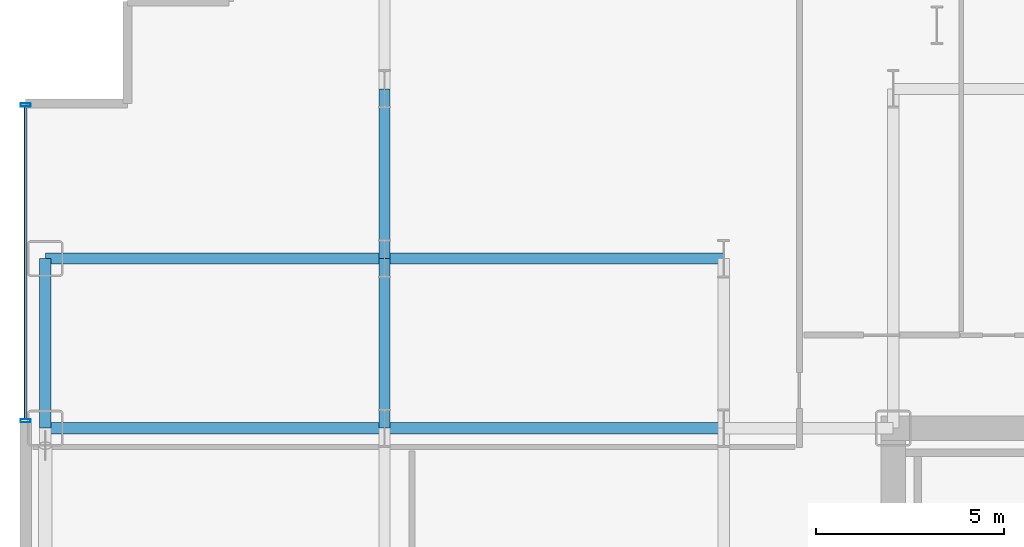
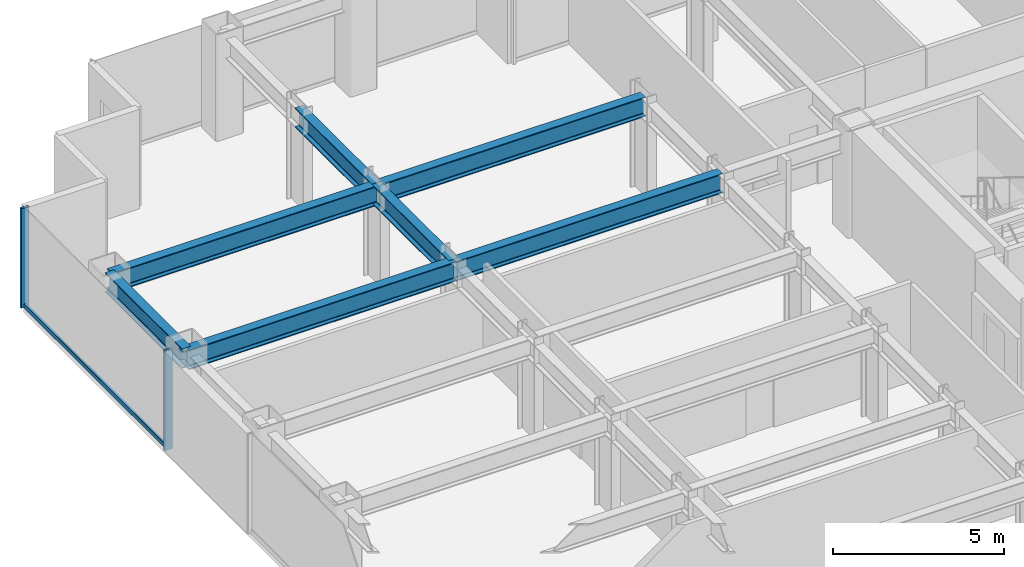
# One storey, part 11 of 29: 7 beams, 3 members, 1 element without a shape of its own.
"""IFC4 building model written with IfcOpenShell, lengths in metres."""

from ifc_helpers import new_model, si_unit, direction, frame, origin, origin_2d, place, context, subcontext, project, spatial, hollow_rectangle, i_section, extrude, source, transform, mapped, material, layer, layer_set, material_profile, profile_set, type_object, element, aggregate, save


model = new_model("IFC4")

# Units and contexts
model_context = context("Model", 3, precision=1e-05, world=origin(), true_north=direction((0.0, 1.0)))
body_context = subcontext(model_context, "Body", "Model", "MODEL_VIEW")
ifc_project = project(units=[si_unit("LENGTHUNIT", "METRE"), si_unit("AREAUNIT", "SQUARE_METRE"), si_unit("VOLUMEUNIT", "CUBIC_METRE"), si_unit("PLANEANGLEUNIT", "RADIAN"), si_unit("MASSUNIT", "GRAM", prefix="KILO")], contexts=[model_context])

# Site, building, storey
site_placement = place(None, origin())
site = spatial("IfcSite", under=ifc_project, at=site_placement, CompositionType="ELEMENT")
building_placement = place(site_placement, origin())
building = spatial("IfcBuilding", under=site, at=building_placement, Name="Nefas-Gora Pilgrimage Tower", CompositionType="ELEMENT")
storey_placement = place(building_placement, frame((0.0, 0.0, 55.800048828125)))
storey = spatial("IfcBuildingStorey", under=building, at=storey_placement, Name="L12", CompositionType="ELEMENT", Elevation=55.800048828125)

# Beams
ifc_material_1 = material(Name="Steel S355", Category="steel")
ifc_material_profile_1 = material_profile(ifc_material_1, i_section(OverallWidth=0.300048828125, OverallDepth=0.699951171875, WebThickness=0.01708984375, FlangeThickness=0.031982421875, FilletRadius=0.027099609375, at=origin_2d()), Name="HEB 700")
ifc_profile_set_1 = profile_set([ifc_material_profile_1], Name="Steel S355")
beam_type_1 = type_object("IfcBeamType", Name="BM-SPN-HEB600", PredefinedType="SPANDREL", material=ifc_profile_set_1)
shared_shape_1 = source(origin(), body_context, "Body", "SweptSolid", [
    extrude(i_section(OverallWidth=0.300048828125, OverallDepth=0.699951171875, WebThickness=0.01708984375, FlangeThickness=0.031982421875, FilletRadius=0.027099609375, at=origin_2d()), origin(), (0.0, 0.0, 1.0), 4.5),
])
beam_placement = place(storey_placement, frame((-33.75, 9.0, 3.199951171875), z_axis=(0.0, 1.0, 0.0), x_axis=(-1.0, 0.0, 0.0)))
element("IfcBeam", 1, at=beam_placement, inside=storey, type_object=beam_type_1, Name="L12 SP-01 beam", PredefinedType="SPANDREL", context=body_context, shape_type="MappedRepresentation", body=[
    mapped(shared_shape_1, transform((0.0, 0.0, 0.0), x_axis=(1.0, 0.0, 0.0), y_axis=(0.0, 1.0, 0.0), z_axis=(0.0, 0.0, 1.0), scale=1.0)),
])
ifc_material_profile_2 = material_profile(ifc_material_1, i_section(OverallWidth=0.300048828125, OverallDepth=0.699951171875, WebThickness=0.01708984375, FlangeThickness=0.031982421875, FilletRadius=0.027099609375, at=origin_2d()), Name="HEB 700")
ifc_profile_set_2 = profile_set([ifc_material_profile_2], Name="Steel S355")
beam_type_2 = type_object("IfcBeamType", Name="BM-GIR-HEB700", PredefinedType="BEAM", material=ifc_profile_set_2)
shared_shape_2 = source(origin(), body_context, "Body", "SweptSolid", [
    extrude(i_section(OverallWidth=0.300048828125, OverallDepth=0.699951171875, WebThickness=0.01708984375, FlangeThickness=0.031982421875, FilletRadius=0.027099609375, at=origin_2d()), origin(), (0.0, 0.0, 1.0), 9.0),
])
for number, where, z_axis, x_axis, name in (
    (2, (-33.75, 9.0, 3.199951171875), (1.0, 0.0, 0.0), (0.0, 1.0, 0.0), "L12 G-02 beam"),
    (3, (-33.75, 13.5, 3.199951171875), (1.0, 0.0, 0.0), (0.0, 1.0, 0.0), "L12 G-02 beam"),
    (4, (-24.75, 9.0, 3.199951171875), (1.0, 0.0, 0.0), (0.0, 1.0, 0.0), "L12 G-02 beam"),
    (5, (-24.75, 13.5, 3.199951171875), (1.0, 0.0, 0.0), (0.0, 1.0, 0.0), "L12 G-02 beam"),
):
    element("IfcBeam", number, at=place(storey_placement, frame(where, z_axis=z_axis, x_axis=x_axis)), inside=storey, type_object=beam_type_2, Name=name, PredefinedType="BEAM", context=body_context, shape_type="MappedRepresentation", body=[
        mapped(shared_shape_2, transform((0.0, 0.0, 0.0), x_axis=(1.0, 0.0, 0.0), y_axis=(0.0, 1.0, 0.0), z_axis=(0.0, 0.0, 1.0), scale=1.0)),
    ])
shared_shape_3 = source(origin(), body_context, "Body", "SweptSolid", [
    extrude(i_section(OverallWidth=0.300048828125, OverallDepth=0.699951171875, WebThickness=0.01708984375, FlangeThickness=0.031982421875, FilletRadius=0.027099609375, at=origin_2d()), origin(), (0.0, 0.0, 1.0), 4.5),
])
for number, where, z_axis, x_axis, name in (
    (6, (-24.75, 9.0, 3.199951171875), (0.0, 1.0, 0.0), (-1.0, 0.0, 0.0), "L12 G-02 beam"),
    (7, (-24.75, 13.5, 3.199951171875), (0.0, 1.0, 0.0), (-1.0, 0.0, 0.0), "L12 G-02 beam"),
):
    element("IfcBeam", number, at=place(storey_placement, frame(where, z_axis=z_axis, x_axis=x_axis)), inside=storey, type_object=beam_type_2, Name=name, PredefinedType="BEAM", context=body_context, shape_type="MappedRepresentation", body=[
        mapped(shared_shape_3, transform((0.0, 0.0, 0.0), x_axis=(1.0, 0.0, 0.0), y_axis=(0.0, 1.0, 0.0), z_axis=(0.0, 0.0, 1.0), scale=1.0)),
    ])

# Curtain wall, members
ifc_material_2 = material(Name="Dark ceramic-fritted solar-control aluminium-glass curtain wall", Category="aluminium")
ifc_layer = layer(ifc_material_2, 0.219970703125)
ifc_layer_set = layer_set([ifc_layer], Name="Dark ceramic-fritted solar-control aluminium-glass curtain wall")
curtain_wall_type = type_object("IfcCurtainWallType", Name="CW-SYS-2", PredefinedType="NOTDEFINED", material=ifc_layer_set)
curtain_wall_placement = place(storey_placement, origin())
curtain_wall = element("IfcCurtainWall", 8, at=curtain_wall_placement, inside=storey, type_object=curtain_wall_type, Name="L12 Unitised Curtain Wall CW2", PredefinedType="NOTDEFINED")
ifc_material_3 = material(Name="Anodised architectural aluminium", Category="aluminium")
ifc_material_profile_3 = material_profile(ifc_material_3, hollow_rectangle(XDim=0.090087890625, YDim=0.260009765625, WallThickness=0.006103515625, InnerFilletRadius=0.006103515625, OuterFilletRadius=0.011962890625, at=origin_2d()), Name="ALU MULLION 90x260")
ifc_profile_set_3 = profile_set([ifc_material_profile_3], Name="Anodised architectural aluminium")
member_type_1 = type_object("IfcMemberType", Name="CWM-MUL-2", PredefinedType="MULLION", material=ifc_profile_set_3)
shared_shape_4 = source(origin(), body_context, "Body", "SweptSolid", [
    extrude(hollow_rectangle(XDim=0.090087890625, YDim=0.260009765625, WallThickness=0.006103515625, InnerFilletRadius=0.006103515625, OuterFilletRadius=0.011962890625, at=origin_2d()), origin(), (0.0, 0.0, 1.0), 3.550048828125),
])
member_1_placement = place(storey_placement, frame((-34.27001953125, 17.574951171875, 0.0), z_axis=(0.0, 0.0, 1.0), x_axis=(0.0, -1.0, 0.0)))
member_1 = element("IfcMember", 9, at=member_1_placement, type_object=member_type_1, Name="CW2 Mullion 1", PredefinedType="MULLION", context=body_context, shape_type="MappedRepresentation", body=[
    mapped(shared_shape_4, transform((0.0, 0.0, 0.0), x_axis=(1.0, 0.0, 0.0), y_axis=(0.0, 1.0, 0.0), z_axis=(0.0, 0.0, 1.0), scale=1.0)),
])
member_2_placement = place(storey_placement, frame((-34.27001953125, 9.195068359375, 0.0), z_axis=(0.0, 0.0, 1.0), x_axis=(0.0, -1.0, 0.0)))
member_2 = element("IfcMember", 10, at=member_2_placement, type_object=member_type_1, Name="CW2 Mullion 2", PredefinedType="MULLION", context=body_context, shape_type="MappedRepresentation", body=[
    mapped(shared_shape_4, transform((0.0, 0.0, 0.0), x_axis=(1.0, 0.0, 0.0), y_axis=(0.0, 1.0, 0.0), z_axis=(0.0, 0.0, 1.0), scale=1.0)),
])
ifc_material_profile_4 = material_profile(ifc_material_3, hollow_rectangle(XDim=0.080078125, YDim=0.159912109375, WallThickness=0.00439453125, InnerFilletRadius=0.00439453125, OuterFilletRadius=0.009033203125, at=origin_2d()), Name="ALU TRANSOM 80x160")
ifc_profile_set_4 = profile_set([ifc_material_profile_4], Name="Anodised architectural aluminium")
member_type_2 = type_object("IfcMemberType", Name="CWM-TRN-2", PredefinedType="USERDEFINED", material=ifc_profile_set_4)
shared_shape_5 = source(origin(), body_context, "Body", "SweptSolid", [
    extrude(hollow_rectangle(XDim=0.080078125, YDim=0.159912109375, WallThickness=0.00439453125, InnerFilletRadius=0.00439453125, OuterFilletRadius=0.009033203125, at=origin_2d()), origin(), (0.0, 0.0, 1.0), 8.2900390625),
])
member_3_placement = place(storey_placement, frame((-34.27001953125, 17.530029296875, 0.050048828125), z_axis=(0.0, -1.0, 0.0), x_axis=(1.0, 0.0, 0.0)))
member_3 = element("IfcMember", 11, at=member_3_placement, type_object=member_type_2, Name="CW2 Spandrel Transom", ObjectType="TRANSOM", PredefinedType="USERDEFINED", context=body_context, shape_type="MappedRepresentation", body=[
    mapped(shared_shape_5, transform((0.0, 0.0, 0.0), x_axis=(1.0, 0.0, 0.0), y_axis=(0.0, 1.0, 0.0), z_axis=(0.0, 0.0, 1.0), scale=1.0)),
])
aggregate(curtain_wall, [member_1, member_2, member_3])

save(model, "model.ifc")
